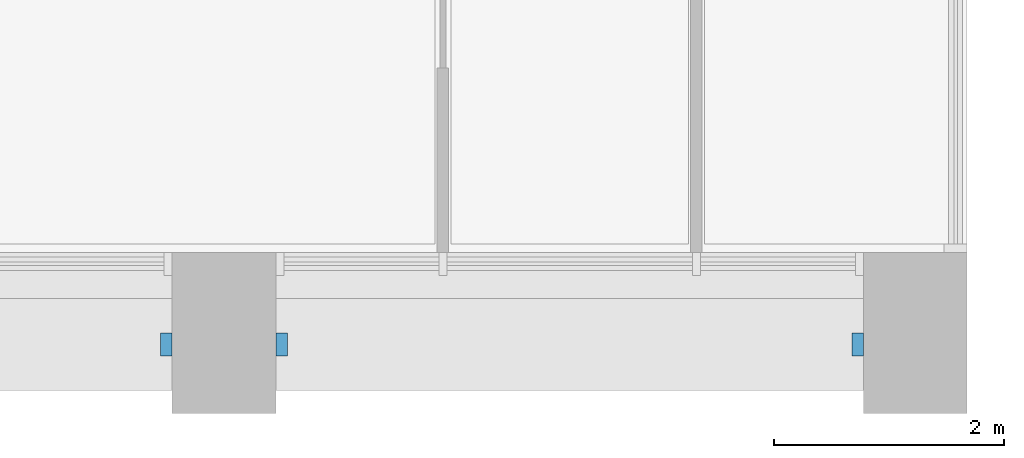
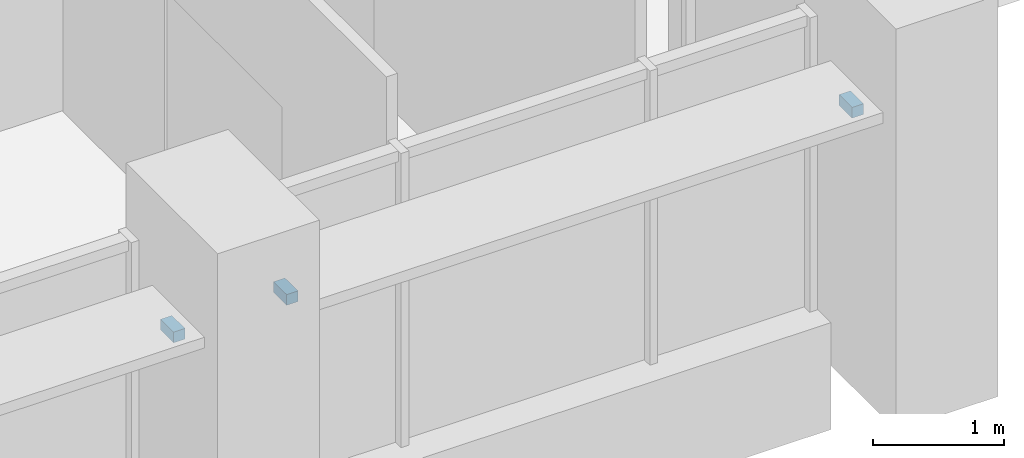
# One storey, part 14 of 15: 3 discrete accessories.
"""IFC4 building model written with IfcOpenShell, lengths in metres."""

from ifc_helpers import new_model, si_unit, direction, frame, origin, origin_2d, place, context, subcontext, project, spatial, rectangle, extrude, element, save


model = new_model("IFC4")

# Units and contexts
model_context = context("Model", 3, precision=1e-05, world=origin(), true_north=direction((0.0, 1.0)))
body_context = subcontext(model_context, "Body", "Model", "MODEL_VIEW")
ifc_project = project(units=[si_unit("LENGTHUNIT", "METRE"), si_unit("AREAUNIT", "SQUARE_METRE"), si_unit("VOLUMEUNIT", "CUBIC_METRE"), si_unit("PLANEANGLEUNIT", "RADIAN"), si_unit("MASSUNIT", "GRAM", prefix="KILO")], contexts=[model_context])

# Site, building, storey
site_placement = place(None, origin())
site = spatial("IfcSite", under=ifc_project, at=site_placement, CompositionType="ELEMENT")
building_placement = place(site_placement, origin())
building = spatial("IfcBuilding", under=site, at=building_placement, Name="Calvaro Tower", CompositionType="ELEMENT")
storey_placement = place(building_placement, frame((0.0, 0.0, 151.25)))
storey = spatial("IfcBuildingStorey", under=building, at=storey_placement, Name="L38", CompositionType="ELEMENT", Elevation=151.25)

# Discrete accessories
for number, where, z_axis, x_axis, name in (
    (1, (59.5, 2.10009765625, 2.25), (0.0, 0.0, 1.0), (1.0, 0.0, 0.0), "Brise-soleil bracket"),
    (2, (60.5, 2.10009765625, 2.25), (0.0, 0.0, 1.0), (1.0, 0.0, 0.0), "Brise-soleil bracket"),
    (3, (65.5, 2.10009765625, 2.25), (0.0, 0.0, 1.0), (1.0, 0.0, 0.0), "Brise-soleil bracket"),
):
    element("IfcDiscreteAccessory", number, at=place(storey_placement, frame(where, z_axis=z_axis, x_axis=x_axis)), inside=storey, Name=name, PredefinedType="BRACKET", context=body_context, shape_type="SweptSolid", body=[
        extrude(rectangle(XDim=0.10009765625, YDim=0.199951171875, at=origin_2d()), origin(), (0.0, 0.0, 1.0), 0.10009765625),
    ])

save(model, "model.ifc")
